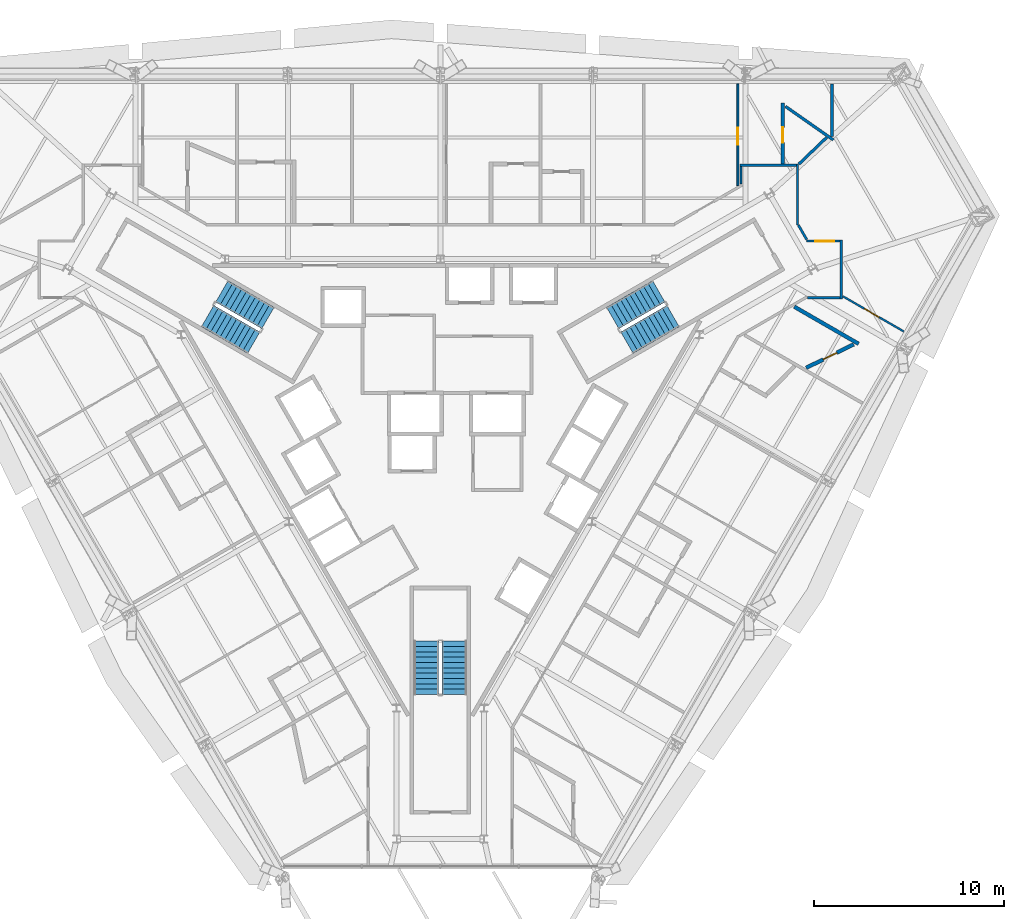
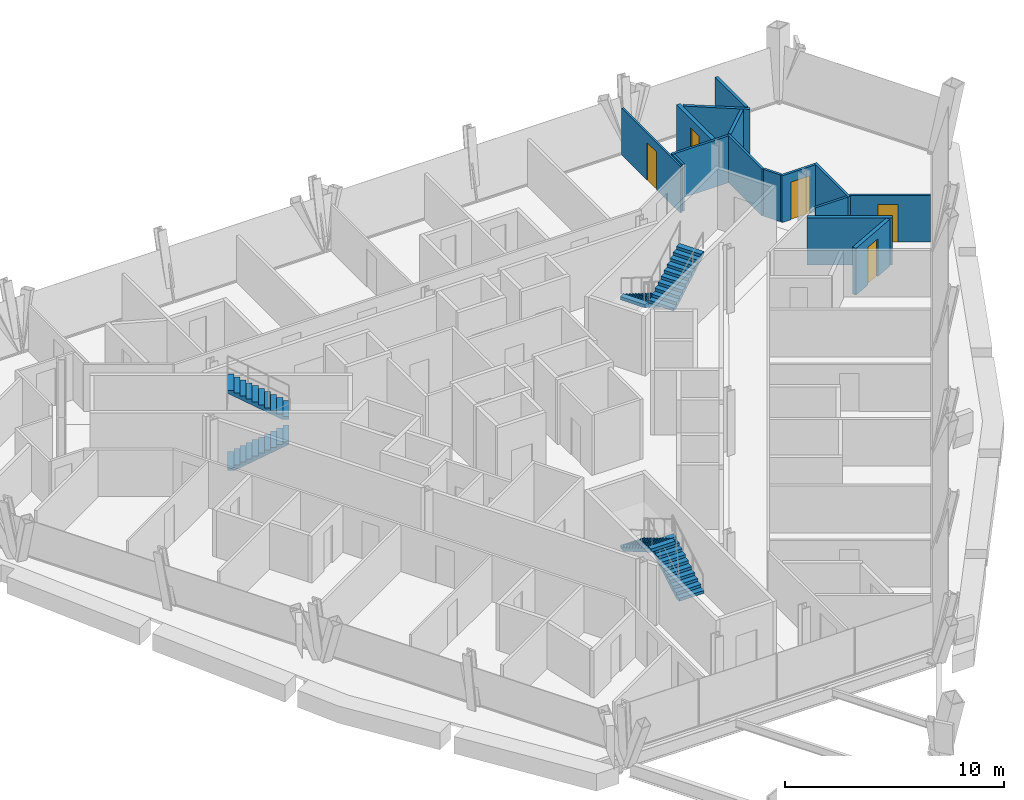
# One storey, part 13 of 15: 15 walls, 6 stair flights, 5 doors, 5 openings, 3 elements without a shape of their own.
"""IFC4 building model written with IfcOpenShell, lengths in metres."""

from ifc_helpers import new_model, si_unit, direction, frame, frame_2d, origin, place, context, subcontext, project, spatial, polyline, rectangle, outline, extrude, material, layer, layer_set, type_object, element, fill, aggregate, save


model = new_model("IFC4")

# Units and contexts
model_context = context("Model", 3, precision=1e-05, world=origin(), true_north=direction((0.0, 1.0)))
body_context = subcontext(model_context, "Body", "Model", "MODEL_VIEW")
ifc_project = project(units=[si_unit("LENGTHUNIT", "METRE"), si_unit("AREAUNIT", "SQUARE_METRE"), si_unit("VOLUMEUNIT", "CUBIC_METRE"), si_unit("PLANEANGLEUNIT", "RADIAN"), si_unit("MASSUNIT", "GRAM", prefix="KILO")], contexts=[model_context])

# Site, building, storey
site_placement = place(None, origin())
site = spatial("IfcSite", under=ifc_project, at=site_placement, CompositionType="ELEMENT")
building_placement = place(site_placement, origin())
building = spatial("IfcBuilding", under=site, at=building_placement, Name="Verrane Prism Tower", CompositionType="ELEMENT")
storey_placement = place(building_placement, frame((0.0, 0.0, 118.0)))
storey = spatial("IfcBuildingStorey", under=building, at=storey_placement, Name="L28", CompositionType="ELEMENT", Elevation=118.0)

# Wall, opening, door
ifc_material_1 = material(Name="Gypsum board partition", Category="other")
ifc_layer_1 = layer(ifc_material_1, 0.10009765625)
ifc_layer_set_1 = layer_set([ifc_layer_1], Name="PW-100 room partition")
wall_type_1 = type_object("IfcWallType", Name="PW-100 room partition", PredefinedType="PARTITIONING", material=ifc_layer_set_1)
wall_1_placement = place(storey_placement, frame((15.65087890625, 18.4150390625, 0.0), z_axis=(0.0, 0.0, 1.0), x_axis=(0.0, -1.0, 0.0)))
wall_1 = element("IfcWall", 1, at=wall_1_placement, inside=storey, type_object=wall_type_1, Name="Room partition 061", PredefinedType="PARTITIONING", context=body_context, shape_type="SweptSolid", body=[
    extrude(rectangle(XDim=5.35205078125, YDim=0.10009765625, at=frame_2d((2.676025390625, 0.0))), origin(), (0.0, 0.0, 1.0), 2.613037109375),
])
opening_1_placement = place(wall_1_placement, frame((2.302978515625, 0.0, 0.0)))
opening_1 = element("IfcOpeningElement", 2, at=opening_1_placement, cuts=wall_1, Name="Opening D27002", PredefinedType="OPENING", context=body_context, shape_type="SweptSolid", body=[
    extrude(rectangle(XDim=0.89990234375, YDim=2.10009765625, at=frame_2d((0.449951171875, 1.050048828125))), frame((0.0, 0.06005859375, 0.0), z_axis=(0.0, -1.0, 0.0), x_axis=(1.0, 0.0, 0.0)), (0.0, 0.0, 1.0), 0.1201171875),
])
ifc_material_2 = material(Name="Timber veneered door leaf", Category="wood")
door_type_1 = type_object("IfcDoorType", Name="DR-900x2100 single leaf inner", OperationType="NOTDEFINED", PredefinedType="DOOR", material=ifc_material_2)
door_1_placement = place(opening_1_placement, origin())
door_1 = element("IfcDoor", 3, at=door_1_placement, inside=storey, type_object=door_type_1, Name="Suite Living Room door", OperationType="SINGLE_SWING_LEFT", OverallHeight=2.10009765625, OverallWidth=0.89990234375, PredefinedType="DOOR", context=body_context, shape_type="SweptSolid", body=[
    extrude(rectangle(XDim=0.89990234375, YDim=2.10009765625, at=frame_2d((0.449951171875, 1.050048828125))), frame((0.0, 0.02490234375, 0.0), z_axis=(0.0, -1.0, 0.0), x_axis=(1.0, 0.0, 0.0)), (0.0, 0.0, 1.0), 0.050048828125),
])
fill(opening_1, door_1)

wall_2_placement = place(storey_placement, frame((24.375732421875, 5.389892578125, 0.0), z_axis=(0.0, 0.0, 1.0), x_axis=(-0.865974401185, 0.500088328689, 0.0)))
wall_2 = element("IfcWall", 4, at=wall_2_placement, inside=storey, type_object=wall_type_1, Name="Room partition 078", PredefinedType="PARTITIONING", context=body_context, shape_type="SweptSolid", body=[
    extrude(rectangle(XDim=3.696533203125, YDim=0.10009765625, at=frame_2d((1.84814453125, 0.0))), origin(), (0.0, 0.0, 1.0), 2.613037109375),
])
opening_2_placement = place(wall_2_placement, frame((1.497802734375, 0.0, 0.0)))
opening_2 = element("IfcOpeningElement", 5, at=opening_2_placement, cuts=wall_2, Name="Opening D27038", PredefinedType="OPENING", context=body_context, shape_type="SweptSolid", body=[
    extrude(rectangle(XDim=0.89990234375, YDim=2.10009765625, at=frame_2d((0.449951171875, 1.050048828125))), frame((0.0, 0.06005859375, 0.0), z_axis=(0.0, -1.0, 0.0), x_axis=(1.0, 0.0, 0.0)), (0.0, 0.0, 1.0), 0.1201171875),
])
door_2_placement = place(opening_2_placement, origin())
door_2 = element("IfcDoor", 6, at=door_2_placement, inside=storey, type_object=door_type_1, Name="Suite Living Room door", OperationType="SINGLE_SWING_LEFT", OverallHeight=2.10009765625, OverallWidth=0.89990234375, PredefinedType="DOOR", context=body_context, shape_type="SweptSolid", body=[
    extrude(rectangle(XDim=0.89990234375, YDim=2.10009765625, at=frame_2d((0.449951171875, 1.050048828125))), frame((0.0, 0.02490234375, 0.0), z_axis=(0.0, -1.0, 0.0), x_axis=(1.0, 0.0, 0.0)), (0.0, 0.0, 1.0), 0.050048828125),
])
fill(opening_2, door_2)

# Walls
ifc_material_3 = material(Name="Gypsum board partition", Category="other")
ifc_layer_2 = layer(ifc_material_3, 0.125)
ifc_layer_set_2 = layer_set([ifc_layer_2], Name="PW-125 corridor wall 1 h")
wall_type_2 = type_object("IfcWallType", Name="PW-125 corridor wall 1 h", PredefinedType="PARTITIONING", material=ifc_layer_set_2)
wall_3_placement = place(storey_placement, frame((15.81298828125, 13.139892578125, 0.0), z_axis=(0.0, 0.0, 1.0), x_axis=(0.0, 1.0, 0.0)))
element("IfcWall", 7, at=wall_3_placement, inside=storey, type_object=wall_type_2, Name="Corridor wall 063", PredefinedType="PARTITIONING", context=body_context, shape_type="SweptSolid", body=[
    extrude(rectangle(XDim=0.922119140625, YDim=0.125, at=frame_2d((0.4609375, 0.0))), origin(), (0.0, 0.0, 1.0), 2.613037109375),
])
wall_4_placement = place(storey_placement, frame((15.75048828125, 14.126953125, 0.0), z_axis=(0.0, 0.0, 1.0), x_axis=(1.0, 0.0, 0.0)))
element("IfcWall", 8, at=wall_4_placement, inside=storey, type_object=wall_type_2, Name="Corridor wall 064", PredefinedType="PARTITIONING", context=body_context, shape_type="SweptSolid", body=[
    extrude(rectangle(XDim=2.971435546875, YDim=0.125, at=frame_2d((1.48583984375, 0.0))), origin(), (0.0, 0.0, 1.0), 2.613037109375),
])
wall_5_placement = place(storey_placement, frame((18.787109375, 10.99755859375, 0.0), z_axis=(0.0, 0.0, 1.0), x_axis=(0.0, 1.0, 0.0)))
element("IfcWall", 9, at=wall_5_placement, inside=storey, type_object=wall_type_2, Name="Corridor wall 070", PredefinedType="PARTITIONING", context=body_context, shape_type="SweptSolid", body=[
    extrude(rectangle(XDim=3.19189453125, YDim=0.125, at=frame_2d((1.595947265625, 0.0))), origin(), (0.0, 0.0, 1.0), 2.613037109375),
])
wall_6_placement = place(storey_placement, frame((18.82958984375, 10.986328125, 0.0), z_axis=(0.0, 0.0, 1.0), x_axis=(0.499881837328, -0.866093614288, 0.0)))
element("IfcWall", 10, at=wall_6_placement, inside=storey, type_object=wall_type_2, Name="Corridor wall 071", PredefinedType="PARTITIONING", context=body_context, shape_type="SweptSolid", body=[
    extrude(rectangle(XDim=0.884033203125, YDim=0.125, at=frame_2d((0.44189453125, 0.0))), origin(), (0.0, 0.0, 1.0), 2.613037109375),
])
wall_7_placement = place(storey_placement, frame((19.30908203125, 7.173095703125, 0.0), z_axis=(0.0, 0.0, 1.0), x_axis=(1.0, 0.0, 0.0)))
element("IfcWall", 11, at=wall_7_placement, inside=storey, type_object=wall_type_2, Name="Corridor wall 074", PredefinedType="PARTITIONING", context=body_context, shape_type="SweptSolid", body=[
    extrude(rectangle(XDim=1.712890625, YDim=0.125, at=frame_2d((0.8564453125, 0.0))), origin(), (0.0, 0.0, 1.0), 2.613037109375),
])

# Wall, opening, door
wall_8_placement = place(storey_placement, frame((19.25146484375, 10.14697265625, 0.0), z_axis=(0.0, 0.0, 1.0), x_axis=(1.0, 0.0, 0.0)))
wall_8 = element("IfcWall", 12, at=wall_8_placement, inside=storey, type_object=wall_type_2, Name="Corridor wall 075", PredefinedType="PARTITIONING", context=body_context, shape_type="SweptSolid", body=[
    extrude(rectangle(XDim=1.7705078125, YDim=0.125, at=frame_2d((0.88525390625, 0.0))), origin(), (0.0, 0.0, 1.0), 2.613037109375),
])
opening_3_placement = place(wall_8_placement, frame((0.46240234375, 0.0, 0.0)))
opening_3 = element("IfcOpeningElement", 13, at=opening_3_placement, cuts=wall_8, Name="Opening D27037", PredefinedType="OPENING", context=body_context, shape_type="SweptSolid", body=[
    extrude(rectangle(XDim=1.0, YDim=2.10009765625, at=frame_2d((0.5, 1.050048828125))), frame((0.0, 0.072509765625, 0.0), z_axis=(0.0, -1.0, 0.0), x_axis=(1.0, 0.0, 0.0)), (0.0, 0.0, 1.0), 0.14501953125),
])
ifc_material_4 = material(Name="Timber veneered door leaf", Category="wood")
door_type_2 = type_object("IfcDoorType", Name="DR-1000x2100 FD20 single leaf unit", OperationType="NOTDEFINED", PredefinedType="DOOR", material=ifc_material_4)
door_3_placement = place(opening_3_placement, origin())
door_3 = element("IfcDoor", 14, at=door_3_placement, inside=storey, type_object=door_type_2, Name="Suite Living Room door", OperationType="SINGLE_SWING_LEFT", OverallHeight=2.10009765625, OverallWidth=1.0, PredefinedType="DOOR", context=body_context, shape_type="SweptSolid", body=[
    extrude(rectangle(XDim=1.0, YDim=2.10009765625, at=frame_2d((0.5, 1.050048828125))), frame((0.0, 0.02490234375, 0.0), z_axis=(0.0, -1.0, 0.0), x_axis=(1.0, 0.0, 0.0)), (0.0, 0.0, 1.0), 0.050048828125),
])
fill(opening_3, door_3)

# Walls
wall_9_placement = place(storey_placement, frame((21.0869140625, 7.110595703125, 0.0), z_axis=(0.0, 0.0, 1.0), x_axis=(0.0, 1.0, 0.0)))
element("IfcWall", 15, at=wall_9_placement, inside=storey, type_object=wall_type_2, Name="Corridor wall 077", PredefinedType="PARTITIONING", context=body_context, shape_type="SweptSolid", body=[
    extrude(rectangle(XDim=3.098876953125, YDim=0.125, at=frame_2d((1.54931640625, 0.0))), origin(), (0.0, 0.0, 1.0), 2.613037109375),
])
ifc_material_5 = material(Name="Gypsum board partition", Category="other")
ifc_layer_3 = layer(ifc_material_5, 0.14990234375)
ifc_layer_set_3 = layer_set([ifc_layer_3], Name="PW-150 demising wall 1 h")
wall_type_3 = type_object("IfcWallType", Name="PW-150 demising wall 1 h", PredefinedType="PARTITIONING", material=ifc_layer_set_3)
wall_10_placement = place(storey_placement, frame((18.150390625, 17.2265625, 0.0), z_axis=(0.0, 0.0, 1.0), x_axis=(0.819261773051, -0.573419695526, 0.0)))
element("IfcWall", 16, at=wall_10_placement, inside=storey, type_object=wall_type_3, Name="Demising wall 068", PredefinedType="PARTITIONING", context=body_context, shape_type="SweptSolid", body=[
    extrude(rectangle(XDim=3.073486328125, YDim=0.14990234375, at=frame_2d((1.53662109375, 0.0))), origin(), (0.0, 0.0, 1.0), 2.613037109375),
])
wall_11_placement = place(storey_placement, frame((18.85009765625, 14.1875, 0.0), z_axis=(0.0, 0.0, 1.0), x_axis=(0.722035565689, 0.69185594012, 0.0)))
element("IfcWall", 17, at=wall_11_placement, inside=storey, type_object=wall_type_3, Name="Demising wall 072", PredefinedType="PARTITIONING", context=body_context, shape_type="SweptSolid", body=[
    extrude(rectangle(XDim=2.03857421875, YDim=0.14990234375, at=frame_2d((1.019287109375, 0.0))), origin(), (0.0, 0.0, 1.0), 2.613037109375),
])
wall_12_placement = place(storey_placement, frame((20.60693359375, 15.652099609375, 0.0), z_axis=(0.0, 0.0, 1.0), x_axis=(0.0, 1.0, 0.0)))
element("IfcWall", 18, at=wall_12_placement, inside=storey, type_object=wall_type_3, Name="Demising wall 076", PredefinedType="PARTITIONING", context=body_context, shape_type="SweptSolid", body=[
    extrude(rectangle(XDim=2.762939453125, YDim=0.14990234375, at=frame_2d((1.38134765625, 0.0))), origin(), (0.0, 0.0, 1.0), 2.613037109375),
])

# Wall, opening, door
ifc_material_6 = material(Name="Gypsum board partition", Category="other")
ifc_layer_4 = layer(ifc_material_6, 0.199951171875)
ifc_layer_set_4 = layer_set([ifc_layer_4], Name="PW-200 plumbing wall")
wall_type_4 = type_object("IfcWallType", Name="PW-200 plumbing wall", PredefinedType="PARTITIONING", material=ifc_layer_set_4)
wall_13_placement = place(storey_placement, frame((18.007080078125, 17.402099609375, 0.0), z_axis=(0.0, 0.0, 1.0), x_axis=(0.0, -1.0, 0.0)))
wall_13 = element("IfcWall", 19, at=wall_13_placement, inside=storey, type_object=wall_type_4, Name="Plumbing wall 067", PredefinedType="PARTITIONING", context=body_context, shape_type="SweptSolid", body=[
    extrude(rectangle(XDim=3.212646484375, YDim=0.199951171875, at=frame_2d((1.6064453125, 0.0))), origin(), (0.0, 0.0, 1.0), 2.613037109375),
])
opening_4_placement = place(wall_13_placement, frame((1.27490234375, 0.0, 0.0)))
opening_4 = element("IfcOpeningElement", 20, at=opening_4_placement, cuts=wall_13, Name="Opening D27003", PredefinedType="OPENING", context=body_context, shape_type="SweptSolid", body=[
    extrude(rectangle(XDim=0.800048828125, YDim=2.10009765625, at=frame_2d((0.39990234375, 1.050048828125))), frame((0.0, 0.10986328125, 0.0), z_axis=(0.0, -1.0, 0.0), x_axis=(1.0, 0.0, 0.0)), (0.0, 0.0, 1.0), 0.219970703125),
])
ifc_material_7 = material(Name="Timber veneered door leaf", Category="wood")
door_type_3 = type_object("IfcDoorType", Name="DR-800x2100 single leaf bath", OperationType="NOTDEFINED", PredefinedType="DOOR", material=ifc_material_7)
door_4_placement = place(opening_4_placement, origin())
door_4 = element("IfcDoor", 21, at=door_4_placement, inside=storey, type_object=door_type_3, Name="En-Suite door", OperationType="SINGLE_SWING_RIGHT", OverallHeight=2.10009765625, OverallWidth=0.800048828125, PredefinedType="DOOR", context=body_context, shape_type="SweptSolid", body=[
    extrude(rectangle(XDim=0.800048828125, YDim=2.10009765625, at=frame_2d((0.39990234375, 1.050048828125))), frame((0.0, 0.02490234375, 0.0), z_axis=(0.0, -1.0, 0.0), x_axis=(1.0, 0.0, 0.0)), (0.0, 0.0, 1.0), 0.050048828125),
])
fill(opening_4, door_4)

# Wall
wall_14_placement = place(storey_placement, frame((18.616455078125, 6.692138671875, 0.0), z_axis=(0.0, 0.0, 1.0), x_axis=(0.865984367075, -0.500071070931, 0.0)))
element("IfcWall", 22, at=wall_14_placement, inside=storey, type_object=wall_type_4, Name="Plumbing wall 069", PredefinedType="PARTITIONING", context=body_context, shape_type="SweptSolid", body=[
    extrude(rectangle(XDim=3.89990234375, YDim=0.199951171875, at=frame_2d((1.949951171875, 0.0))), origin(), (0.0, 0.0, 1.0), 2.613037109375),
])

# Wall, opening, door
wall_15_placement = place(storey_placement, frame((19.244873046875, 3.478515625, 0.0), z_axis=(0.0, 0.0, 1.0), x_axis=(0.896782684503, 0.44247126096, 0.0)))
wall_15 = element("IfcWall", 23, at=wall_15_placement, inside=storey, type_object=wall_type_4, Name="Plumbing wall 073", PredefinedType="PARTITIONING", context=body_context, shape_type="SweptSolid", body=[
    extrude(rectangle(XDim=2.78369140625, YDim=0.199951171875, at=frame_2d((1.391845703125, 0.0))), origin(), (0.0, 0.0, 1.0), 2.613037109375),
])
opening_5_placement = place(wall_15_placement, frame((0.992919921875, 0.0, 0.0)))
opening_5 = element("IfcOpeningElement", 24, at=opening_5_placement, cuts=wall_15, Name="Opening D27039", PredefinedType="OPENING", context=body_context, shape_type="SweptSolid", body=[
    extrude(rectangle(XDim=0.800048828125, YDim=2.10009765625, at=frame_2d((0.39990234375, 1.050048828125))), frame((0.0, 0.10986328125, 0.0), z_axis=(0.0, -1.0, 0.0), x_axis=(1.0, 0.0, 0.0)), (0.0, 0.0, 1.0), 0.219970703125),
])
door_5_placement = place(opening_5_placement, origin())
door_5 = element("IfcDoor", 25, at=door_5_placement, inside=storey, type_object=door_type_3, Name="En-Suite door", OperationType="SINGLE_SWING_LEFT", OverallHeight=2.10009765625, OverallWidth=0.800048828125, PredefinedType="DOOR", context=body_context, shape_type="SweptSolid", body=[
    extrude(rectangle(XDim=0.800048828125, YDim=2.10009765625, at=frame_2d((0.39990234375, 1.050048828125))), frame((0.0, 0.02490234375, 0.0), z_axis=(0.0, -1.0, 0.0), x_axis=(1.0, 0.0, 0.0)), (0.0, 0.0, 1.0), 0.050048828125),
])
fill(opening_5, door_5)

# Stair, stair flights
ifc_material_8 = material(Name="Concrete C40/50", Category="concrete")
stair_type = type_object("IfcStairType", Name="Exit stair 1300 dog-leg precast concrete C40/50", PredefinedType="HALF_TURN_STAIR", material=ifc_material_8)
stair_1_placement = place(storey_placement, origin())
stair_1 = element("IfcStair", 26, at=stair_1_placement, inside=storey, type_object=stair_type, Name="Stair 1 L28", PredefinedType="HALF_TURN_STAIR")
ifc_material_9 = material(Name="Concrete C40/50", Category="concrete")
stair_flight_type = type_object("IfcStairFlightType", Name="Stair flight 1300 precast concrete C40/50", PredefinedType="STRAIGHT", material=ifc_material_9)
stair_flight_1_placement = place(storey_placement, frame((11.489501953125, 7.49951171875, 0.0), z_axis=(0.0, 0.0, 1.0), x_axis=(-0.866025403784, -0.5, 0.0)))
stair_flight_1 = element("IfcStairFlight", 27, at=stair_flight_1_placement, type_object=stair_flight_type, Name="Stair 1 flight 1", NumberOfRisers=11, NumberOfTreads=10, PredefinedType="STRAIGHT", RiserHeight=0.163636364, TreadLength=0.28, context=body_context, shape_type="SweptSolid", body=[
    extrude(outline(polyline([(0.0, 0.0), (0.0, 0.16357421875), (0.280029296875, 0.16357421875), (0.280029296875, 0.327392578125), (0.56005859375, 0.327392578125), (0.56005859375, 0.490966796875), (0.840087890625, 0.490966796875), (0.840087890625, 0.654541015625), (1.1201171875, 0.654541015625), (1.1201171875, 0.818115234375), (1.39990234375, 0.818115234375), (1.39990234375, 0.98193359375), (1.679931640625, 0.98193359375), (1.679931640625, 1.1455078125), (1.9599609375, 1.1455078125), (1.9599609375, 1.30908203125), (2.239990234375, 1.30908203125), (2.239990234375, 1.47265625), (2.52001953125, 1.47265625), (2.52001953125, 1.636474609375), (2.800048828125, 1.636474609375), (2.800048828125, 1.800048828125), (2.800048828125, 1.462646484375), (0.297119140625, 0.0), (0.0, 0.0)])), frame((0.0, 0.64990234375, 0.0), z_axis=(0.0, -1.0, 0.0), x_axis=(1.0, 0.0, 0.0)), (0.0, 0.0, 1.0), 1.300048828125),
])
stair_flight_2_placement = place(storey_placement, frame((9.814697265625, 4.800537109375, 1.800048828125), z_axis=(0.0, 0.0, 1.0), x_axis=(0.866025403784, 0.5, 0.0)))
stair_flight_2 = element("IfcStairFlight", 28, at=stair_flight_2_placement, type_object=stair_flight_type, Name="Stair 1 flight 2", NumberOfRisers=11, NumberOfTreads=10, PredefinedType="STRAIGHT", RiserHeight=0.163636364, TreadLength=0.28, context=body_context, shape_type="SweptSolid", body=[
    extrude(outline(polyline([(0.0, 0.0), (0.0, 0.16357421875), (0.280029296875, 0.16357421875), (0.280029296875, 0.327392578125), (0.56005859375, 0.327392578125), (0.56005859375, 0.490966796875), (0.840087890625, 0.490966796875), (0.840087890625, 0.654541015625), (1.1201171875, 0.654541015625), (1.1201171875, 0.818115234375), (1.39990234375, 0.818115234375), (1.39990234375, 0.98193359375), (1.679931640625, 0.98193359375), (1.679931640625, 1.1455078125), (1.9599609375, 1.1455078125), (1.9599609375, 1.30908203125), (2.239990234375, 1.30908203125), (2.239990234375, 1.47265625), (2.52001953125, 1.47265625), (2.52001953125, 1.636474609375), (2.800048828125, 1.636474609375), (2.800048828125, 1.800048828125), (2.800048828125, 1.462646484375), (0.297119140625, 0.0), (0.0, 0.0)])), frame((0.0, 0.64990234375, 0.0), z_axis=(0.0, -1.0, 0.0), x_axis=(1.0, 0.0, 0.0)), (0.0, 0.0, 1.0), 1.300048828125),
])
aggregate(stair_1, [stair_flight_1, stair_flight_2])

stair_2_placement = place(storey_placement, origin())
stair_2 = element("IfcStair", 29, at=stair_2_placement, inside=storey, type_object=stair_type, Name="Stair 2 L28", PredefinedType="HALF_TURN_STAIR")
stair_flight_3_placement = place(storey_placement, frame((-12.239501953125, 6.200439453125, 0.0), z_axis=(0.0, 0.0, 1.0), x_axis=(0.866025403784, -0.5, 0.0)))
stair_flight_3 = element("IfcStairFlight", 30, at=stair_flight_3_placement, type_object=stair_flight_type, Name="Stair 2 flight 1", NumberOfRisers=11, NumberOfTreads=10, PredefinedType="STRAIGHT", RiserHeight=0.163636364, TreadLength=0.28, context=body_context, shape_type="SweptSolid", body=[
    extrude(outline(polyline([(0.0, 0.0), (0.0, 0.16357421875), (0.280029296875, 0.16357421875), (0.280029296875, 0.327392578125), (0.56005859375, 0.327392578125), (0.56005859375, 0.490966796875), (0.840087890625, 0.490966796875), (0.840087890625, 0.654541015625), (1.1201171875, 0.654541015625), (1.1201171875, 0.818115234375), (1.39990234375, 0.818115234375), (1.39990234375, 0.98193359375), (1.679931640625, 0.98193359375), (1.679931640625, 1.1455078125), (1.9599609375, 1.1455078125), (1.9599609375, 1.30908203125), (2.239990234375, 1.30908203125), (2.239990234375, 1.47265625), (2.52001953125, 1.47265625), (2.52001953125, 1.636474609375), (2.800048828125, 1.636474609375), (2.800048828125, 1.800048828125), (2.800048828125, 1.462646484375), (0.297119140625, 0.0), (0.0, 0.0)])), frame((0.0, 0.64990234375, 0.0), z_axis=(0.0, -1.0, 0.0), x_axis=(1.0, 0.0, 0.0)), (0.0, 0.0, 1.0), 1.300048828125),
])
stair_flight_4_placement = place(storey_placement, frame((-9.064697265625, 6.099609375, 1.800048828125), z_axis=(0.0, 0.0, 1.0), x_axis=(-0.866025403784, 0.5, 0.0)))
stair_flight_4 = element("IfcStairFlight", 31, at=stair_flight_4_placement, type_object=stair_flight_type, Name="Stair 2 flight 2", NumberOfRisers=11, NumberOfTreads=10, PredefinedType="STRAIGHT", RiserHeight=0.163636364, TreadLength=0.28, context=body_context, shape_type="SweptSolid", body=[
    extrude(outline(polyline([(0.0, 0.0), (0.0, 0.16357421875), (0.280029296875, 0.16357421875), (0.280029296875, 0.327392578125), (0.56005859375, 0.327392578125), (0.56005859375, 0.490966796875), (0.840087890625, 0.490966796875), (0.840087890625, 0.654541015625), (1.1201171875, 0.654541015625), (1.1201171875, 0.818115234375), (1.39990234375, 0.818115234375), (1.39990234375, 0.98193359375), (1.679931640625, 0.98193359375), (1.679931640625, 1.1455078125), (1.9599609375, 1.1455078125), (1.9599609375, 1.30908203125), (2.239990234375, 1.30908203125), (2.239990234375, 1.47265625), (2.52001953125, 1.47265625), (2.52001953125, 1.636474609375), (2.800048828125, 1.636474609375), (2.800048828125, 1.800048828125), (2.800048828125, 1.462646484375), (0.297119140625, 0.0), (0.0, 0.0)])), frame((0.0, 0.64990234375, 0.0), z_axis=(0.0, -1.0, 0.0), x_axis=(1.0, 0.0, 0.0)), (0.0, 0.0, 1.0), 1.300048828125),
])
aggregate(stair_2, [stair_flight_3, stair_flight_4])

stair_3_placement = place(storey_placement, origin())
stair_3 = element("IfcStair", 32, at=stair_3_placement, inside=storey, type_object=stair_type, Name="Stair 3 L28", PredefinedType="HALF_TURN_STAIR")
stair_flight_5_placement = place(storey_placement, frame((0.75, -13.699951171875, 0.0), z_axis=(0.0, 0.0, 1.0), x_axis=(0.0, 1.0, 0.0)))
stair_flight_5 = element("IfcStairFlight", 33, at=stair_flight_5_placement, type_object=stair_flight_type, Name="Stair 3 flight 1", NumberOfRisers=11, NumberOfTreads=10, PredefinedType="STRAIGHT", RiserHeight=0.163636364, TreadLength=0.28, context=body_context, shape_type="SweptSolid", body=[
    extrude(outline(polyline([(0.0, 0.0), (0.0, 0.16357421875), (0.280029296875, 0.16357421875), (0.280029296875, 0.327392578125), (0.56005859375, 0.327392578125), (0.56005859375, 0.490966796875), (0.840087890625, 0.490966796875), (0.840087890625, 0.654541015625), (1.1201171875, 0.654541015625), (1.1201171875, 0.818115234375), (1.39990234375, 0.818115234375), (1.39990234375, 0.98193359375), (1.679931640625, 0.98193359375), (1.679931640625, 1.1455078125), (1.9599609375, 1.1455078125), (1.9599609375, 1.30908203125), (2.239990234375, 1.30908203125), (2.239990234375, 1.47265625), (2.52001953125, 1.47265625), (2.52001953125, 1.636474609375), (2.800048828125, 1.636474609375), (2.800048828125, 1.800048828125), (2.800048828125, 1.462646484375), (0.297119140625, 0.0), (0.0, 0.0)])), frame((0.0, 0.64990234375, 0.0), z_axis=(0.0, -1.0, 0.0), x_axis=(1.0, 0.0, 0.0)), (0.0, 0.0, 1.0), 1.300048828125),
])
stair_flight_6_placement = place(storey_placement, frame((-0.75, -10.89990234375, 1.800048828125), z_axis=(0.0, 0.0, 1.0), x_axis=(0.0, -1.0, 0.0)))
stair_flight_6 = element("IfcStairFlight", 34, at=stair_flight_6_placement, type_object=stair_flight_type, Name="Stair 3 flight 2", NumberOfRisers=11, NumberOfTreads=10, PredefinedType="STRAIGHT", RiserHeight=0.163636364, TreadLength=0.28, context=body_context, shape_type="SweptSolid", body=[
    extrude(outline(polyline([(0.0, 0.0), (0.0, 0.16357421875), (0.280029296875, 0.16357421875), (0.280029296875, 0.327392578125), (0.56005859375, 0.327392578125), (0.56005859375, 0.490966796875), (0.840087890625, 0.490966796875), (0.840087890625, 0.654541015625), (1.1201171875, 0.654541015625), (1.1201171875, 0.818115234375), (1.39990234375, 0.818115234375), (1.39990234375, 0.98193359375), (1.679931640625, 0.98193359375), (1.679931640625, 1.1455078125), (1.9599609375, 1.1455078125), (1.9599609375, 1.30908203125), (2.239990234375, 1.30908203125), (2.239990234375, 1.47265625), (2.52001953125, 1.47265625), (2.52001953125, 1.636474609375), (2.800048828125, 1.636474609375), (2.800048828125, 1.800048828125), (2.800048828125, 1.462646484375), (0.297119140625, 0.0), (0.0, 0.0)])), frame((0.0, 0.64990234375, 0.0), z_axis=(0.0, -1.0, 0.0), x_axis=(1.0, 0.0, 0.0)), (0.0, 0.0, 1.0), 1.300048828125),
])
aggregate(stair_3, [stair_flight_5, stair_flight_6])

save(model, "model.ifc")
